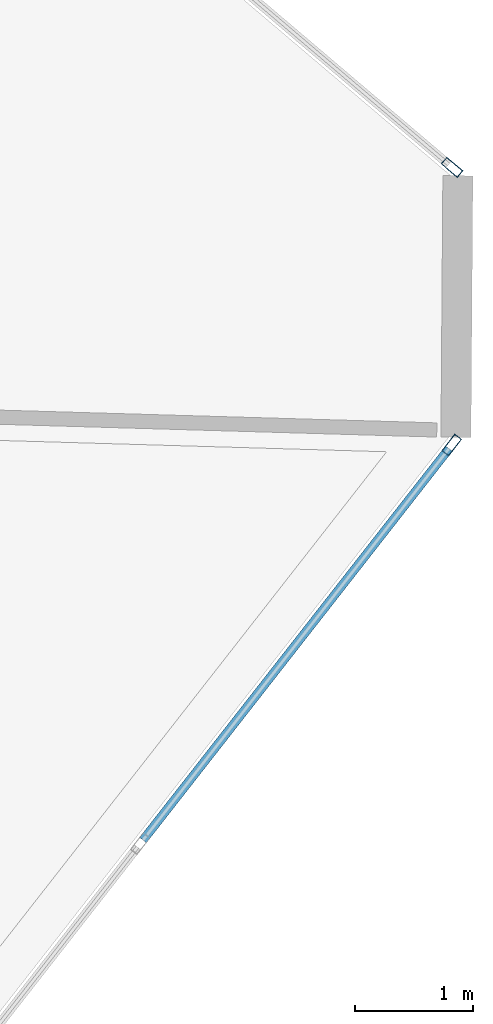
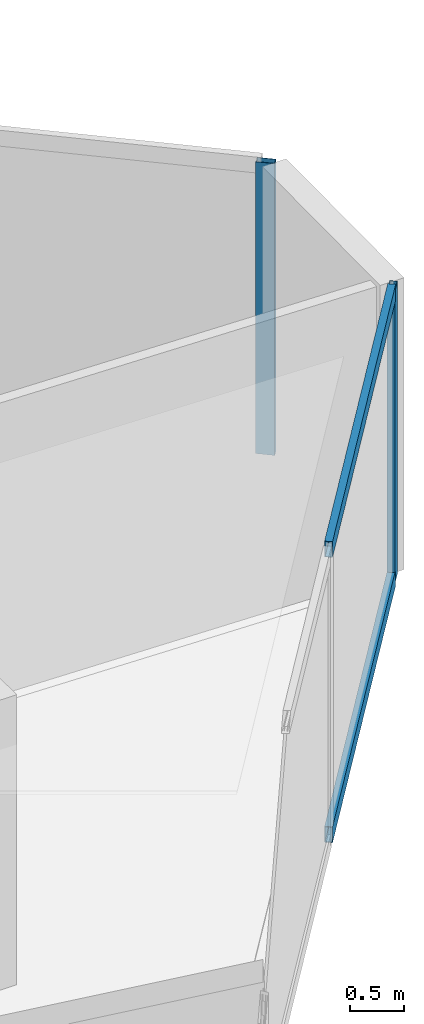
# One storey, part 13 of 24: 4 members, 2 elements without a shape of their own.
"""IFC4 building model written with IfcOpenShell, lengths in metres."""

from ifc_helpers import new_model, si_unit, direction, frame, origin, origin_2d, place, context, subcontext, project, spatial, hollow_rectangle, extrude, source, transform, mapped, material, layer, layer_set, material_profile, profile_set, type_object, type_shapes, element, aggregate, save


model = new_model("IFC4")

# Units and contexts
model_context = context("Model", 3, precision=1e-05, world=origin(), true_north=direction((0.0, 1.0)))
body_context = subcontext(model_context, "Body", "Model", "MODEL_VIEW")
ifc_project = project(units=[si_unit("LENGTHUNIT", "METRE"), si_unit("AREAUNIT", "SQUARE_METRE"), si_unit("VOLUMEUNIT", "CUBIC_METRE"), si_unit("PLANEANGLEUNIT", "RADIAN"), si_unit("MASSUNIT", "GRAM", prefix="KILO")], contexts=[model_context])

# Site, building, storey
site_placement = place(None, origin())
site = spatial("IfcSite", under=ifc_project, at=site_placement, CompositionType="ELEMENT")
building_placement = place(site_placement, origin())
building = spatial("IfcBuilding", under=site, at=building_placement, Name="Talar Marvaseh", CompositionType="ELEMENT")
storey_placement = place(building_placement, frame((0.0, 0.0, 114.60009765625)))
storey = spatial("IfcBuildingStorey", under=building, at=storey_placement, Name="L29", CompositionType="ELEMENT", Elevation=114.60009765625)

# Curtain wall, members
ifc_material = material(Name="Architectural Aluminium", Category="aluminium")
ifc_layer = layer(ifc_material, 0.199951171875)
ifc_layer_set = layer_set([ifc_layer], Name="Architectural Aluminium")
curtain_wall_type = type_object("IfcCurtainWallType", Name="Unitised Acoustic Library Curtain Wall Z2", PredefinedType="NOTDEFINED", material=ifc_layer_set)
curtain_wall_1_placement = place(storey_placement, origin())
curtain_wall_1 = element("IfcCurtainWall", 1, at=curtain_wall_1_placement, inside=storey, type_object=curtain_wall_type, Name="L29 Unitised Acoustic Library Curtain Wall Z2", PredefinedType="NOTDEFINED")
ifc_material_profile_1 = material_profile(ifc_material, hollow_rectangle(XDim=0.074951171875, YDim=0.179931640625, WallThickness=0.0048828125, at=origin_2d()), Name="RHS180x75x5")
ifc_profile_set_1 = profile_set([ifc_material_profile_1], Name="Architectural Aluminium")
member_type_1 = type_object("IfcMemberType", Name="Unitised Curtain Wall Transom RHS180x75x5", PredefinedType="USERDEFINED", material=ifc_profile_set_1)
shared_shape_1 = source(origin(), body_context, "Body", "SweptSolid", [
    extrude(hollow_rectangle(XDim=0.074951171875, YDim=0.179931640625, WallThickness=0.0048828125, at=origin_2d()), origin(), (0.0, 0.0, 1.0), 4.211181640625),
])
type_shapes(member_type_1, [shared_shape_1])
member_1_placement = place(storey_placement, frame((48.614501953125, 31.4814453125, 0.037353515625), z_axis=(-0.61581728602, -0.787888996141, 0.0), x_axis=(0.787888996141, -0.61581728602, 0.0)))
member_1 = element("IfcMember", 2, at=member_1_placement, type_object=member_type_1, Name="CW-Z2 transom 1.1", ObjectType="TRANSOM", PredefinedType="USERDEFINED", context=body_context, shape_type="MappedRepresentation", body=[
    mapped(shared_shape_1, transform((0.0, 0.0, 0.0), x_axis=(1.0, 0.0, 0.0), y_axis=(0.0, 1.0, 0.0), z_axis=(0.0, 0.0, 1.0), scale=1.0)),
])
member_2_placement = place(storey_placement, frame((48.614501953125, 31.4814453125, 3.2724609375), z_axis=(-0.61581728602, -0.787888996141, 0.0), x_axis=(0.787888996141, -0.61581728602, 0.0)))
member_2 = element("IfcMember", 3, at=member_2_placement, type_object=member_type_1, Name="CW-Z2 transom 1.2", ObjectType="TRANSOM", PredefinedType="USERDEFINED", context=body_context, shape_type="MappedRepresentation", body=[
    mapped(shared_shape_1, transform((0.0, 0.0, 0.0), x_axis=(1.0, 0.0, 0.0), y_axis=(0.0, 1.0, 0.0), z_axis=(0.0, 0.0, 1.0), scale=1.0)),
])

# Curtain wall, member
curtain_wall_2_placement = place(storey_placement, origin())
curtain_wall_2 = element("IfcCurtainWall", 4, at=curtain_wall_2_placement, inside=storey, type_object=curtain_wall_type, Name="L29 Unitised Acoustic Library Curtain Wall Z2", PredefinedType="NOTDEFINED")
ifc_material_profile_2 = material_profile(ifc_material, hollow_rectangle(XDim=0.074951171875, YDim=0.179931640625, WallThickness=0.0048828125, at=origin_2d()), Name="RHS180x75x5")
ifc_profile_set_2 = profile_set([ifc_material_profile_2], Name="Architectural Aluminium")
member_type_2 = type_object("IfcMemberType", Name="Unitised Curtain Wall Standard Mullion RHS180x75x5", PredefinedType="MULLION", material=ifc_profile_set_2)
shared_shape_2 = source(origin(), body_context, "Body", "SweptSolid", [
    extrude(hollow_rectangle(XDim=0.074951171875, YDim=0.179931640625, WallThickness=0.0048828125, at=origin_2d()), origin(), (0.0, 0.0, 1.0), 3.309814453125),
])
type_shapes(member_type_2, [shared_shape_2])
member_3_placement = place(storey_placement, frame((48.64013671875, 33.86376953125, 0.0), z_axis=(0.0, 0.0, 1.0), x_axis=(0.647404401964, 0.762146665884, 0.0)))
member_3 = element("IfcMember", 5, at=member_3_placement, type_object=member_type_2, Name="CW-Z2 mullion 5", PredefinedType="MULLION", context=body_context, shape_type="MappedRepresentation", body=[
    mapped(shared_shape_2, transform((0.0, 0.0, 0.0), x_axis=(1.0, 0.0, 0.0), y_axis=(0.0, 1.0, 0.0), z_axis=(0.0, 0.0, 1.0), scale=1.0)),
])
aggregate(curtain_wall_2, [member_3])

# Member
member_4_placement = place(storey_placement, frame((48.637451171875, 31.510986328125, 0.0), z_axis=(0.0, 0.0, 1.0), x_axis=(0.787915588134, -0.615783262175, 0.0)))
member_4 = element("IfcMember", 6, at=member_4_placement, type_object=member_type_2, Name="CW-Z2 mullion 1", PredefinedType="MULLION", context=body_context, shape_type="MappedRepresentation", body=[
    mapped(shared_shape_2, transform((0.0, 0.0, 0.0), x_axis=(1.0, 0.0, 0.0), y_axis=(0.0, 1.0, 0.0), z_axis=(0.0, 0.0, 1.0), scale=1.0)),
])

aggregate(curtain_wall_1, [member_4, member_1, member_2])

save(model, "model.ifc")
